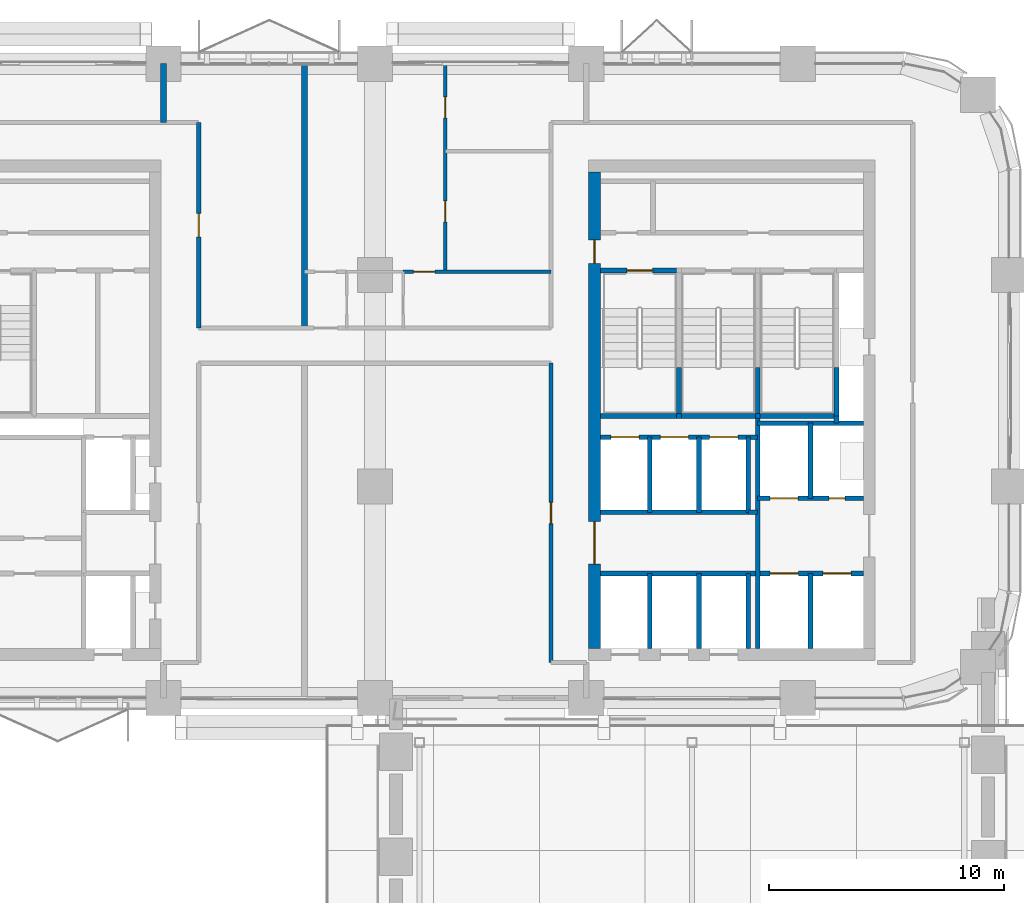
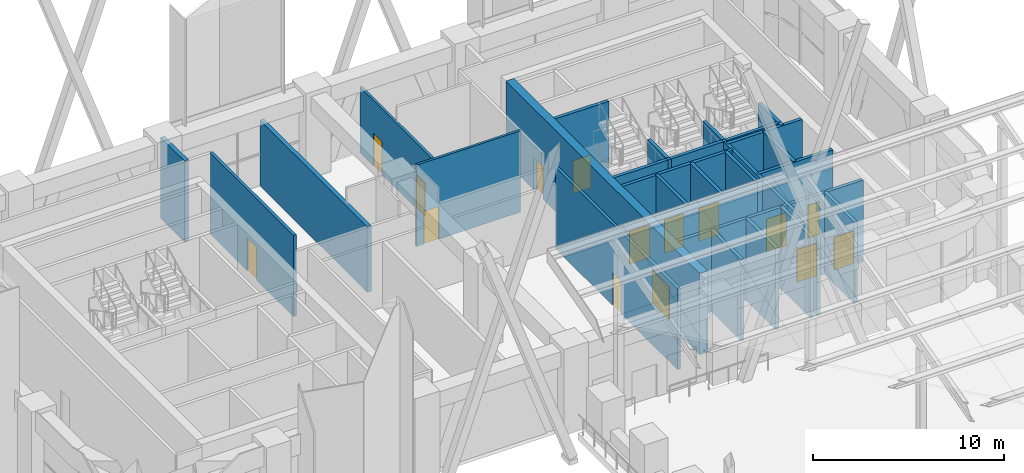
# One storey, part 15 of 22: 32 walls, 15 doors, 15 openings.
"""IFC4 building model written with IfcOpenShell, lengths in metres."""

from ifc_helpers import new_model, si_unit, direction, frame, frame_2d, origin, place, context, subcontext, project, spatial, rectangle, extrude, material, layer, layer_set, type_object, element, fill, save


model = new_model("IFC4")

# Units and contexts
model_context = context("Model", 3, precision=1e-05, world=origin(), true_north=direction((0.0, 1.0)))
body_context = subcontext(model_context, "Body", "Model", "MODEL_VIEW")
ifc_project = project(units=[si_unit("LENGTHUNIT", "METRE"), si_unit("AREAUNIT", "SQUARE_METRE"), si_unit("VOLUMEUNIT", "CUBIC_METRE"), si_unit("PLANEANGLEUNIT", "RADIAN"), si_unit("MASSUNIT", "GRAM", prefix="KILO")], contexts=[model_context])

# Site, building, storey
site_placement = place(None, origin())
site = spatial("IfcSite", under=ifc_project, at=site_placement, CompositionType="ELEMENT")
building_placement = place(site_placement, origin())
building = spatial("IfcBuilding", under=site, at=building_placement, Name="Tessera Arch", CompositionType="ELEMENT")
storey_placement = place(building_placement, frame((0.0, 0.0, 129.39990234375)))
storey = spatial("IfcBuildingStorey", under=building, at=storey_placement, Name="L30", CompositionType="ELEMENT", Elevation=129.39990234375)

# Wall
ifc_material_1 = material(Name="Gypsum board on steel stud", Category="steel")
ifc_layer_1 = layer(ifc_material_1, 0.125)
ifc_layer_set_1 = layer_set([ifc_layer_1], Name="Core partition 125 EI 60")
wall_type_1 = type_object("IfcWallType", Name="Core partition 125 EI 60", PredefinedType="PARTITIONING", material=ifc_layer_set_1)
wall_1_placement = place(storey_placement, frame((42.89990234375, 34.89990234375, 0.0), z_axis=(0.0, 0.0, 1.0), x_axis=(1.0, 0.0, 0.0)))
element("IfcWall", 1, at=wall_1_placement, inside=storey, type_object=wall_type_1, Name="L30 C1 partition wall 22", PredefinedType="PARTITIONING", context=body_context, shape_type="SweptSolid", body=[
    extrude(rectangle(XDim=0.400146484375, YDim=0.199951171875, at=frame_2d((0.2001953125, 0.0))), origin(), (0.0, 0.0, 1.0), 5.2001953125),
])

# Wall, openings, doors
ifc_material_2 = material(Name="Concrete C60/75", Category="concrete")
ifc_layer_2 = layer(ifc_material_2, 0.5)
ifc_layer_set_2 = layer_set([ifc_layer_2], Name="Core shell wall 500 C60-75")
wall_type_2 = type_object("IfcWallType", Name="Core shell wall 500 C60-75", PredefinedType="SHEAR", material=ifc_layer_set_2)
wall_2_placement = place(storey_placement, frame((36.35009765625, 29.10009765625, 0.0), z_axis=(0.0, 0.0, 1.0), x_axis=(0.0, 1.0, 0.0)))
wall_2 = element("IfcWall", 2, at=wall_2_placement, inside=storey, type_object=wall_type_2, Name="L30 C1 core wall W", PredefinedType="SHEAR", context=body_context, shape_type="SweptSolid", body=[
    extrude(rectangle(XDim=20.2998046875, YDim=0.5, at=frame_2d((10.14990234375, 0.0))), origin(), (0.0, 0.0, 1.0), 5.2001953125),
])
opening_1_placement = place(wall_2_placement, frame((3.60009765625, 0.0, 0.0)))
opening_1 = element("IfcOpeningElement", 3, at=opening_1_placement, cuts=wall_2, Name="Opening L30-C10", PredefinedType="OPENING", context=body_context, shape_type="SweptSolid", body=[
    extrude(rectangle(XDim=1.800048828125, YDim=2.10009765625, at=frame_2d((0.89990234375, 1.050048828125))), frame((0.0, 0.260009765625, 0.0), z_axis=(0.0, -1.0, 0.0), x_axis=(1.0, 0.0, 0.0)), (0.0, 0.0, 1.0), 0.52001953125),
])
opening_2_placement = place(wall_2_placement, frame((16.39990234375, 0.0, 0.0)))
opening_2 = element("IfcOpeningElement", 4, at=opening_2_placement, cuts=wall_2, Name="Opening L30-C17", PredefinedType="OPENING", context=body_context, shape_type="SweptSolid", body=[
    extrude(rectangle(XDim=1.0, YDim=2.10009765625, at=frame_2d((0.5, 1.050048828125))), frame((0.0, 0.260009765625, 0.0), z_axis=(0.0, -1.0, 0.0), x_axis=(1.0, 0.0, 0.0)), (0.0, 0.0, 1.0), 0.52001953125),
])
ifc_material_3 = material(Name="Steel door leaf", Category="steel")
door_type_1 = type_object("IfcDoorType", Name="Corridor door FD60 1000 x 2100", OperationType="SINGLE_SWING_LEFT", PredefinedType="DOOR", material=ifc_material_3)
door_1_placement = place(opening_2_placement, origin())
door_1 = element("IfcDoor", 5, at=door_1_placement, inside=storey, type_object=door_type_1, Name="L30 C1 door 17 C17 type D12", OperationType="SINGLE_SWING_RIGHT", OverallHeight=2.10009765625, OverallWidth=1.0, PredefinedType="DOOR", context=body_context, shape_type="SweptSolid", body=[
    extrude(rectangle(XDim=1.0, YDim=2.10009765625, at=frame_2d((0.5, 1.050048828125))), frame((0.0, 0.02490234375, 0.0), z_axis=(0.0, -1.0, 0.0), x_axis=(1.0, 0.0, 0.0)), (0.0, 0.0, 1.0), 0.050048828125),
])
fill(opening_2, door_1)
ifc_material_4 = material(Name="Glazed steel door leaf", Category="steel")
door_type_2 = type_object("IfcDoorType", Name="Lobby double door FD30S 1800 x 2100", OperationType="DOUBLE_DOOR_SINGLE_SWING", PredefinedType="DOOR", material=ifc_material_4)
door_2_placement = place(opening_1_placement, origin())
door_2 = element("IfcDoor", 6, at=door_2_placement, inside=storey, type_object=door_type_2, Name="L30 C1 door 10 C10 type D06", OperationType="DOUBLE_DOOR_SINGLE_SWING", OverallHeight=2.10009765625, OverallWidth=1.800048828125, PredefinedType="DOOR", context=body_context, shape_type="SweptSolid", body=[
    extrude(rectangle(XDim=1.800048828125, YDim=2.10009765625, at=frame_2d((0.89990234375, 1.050048828125))), frame((0.0, 0.02490234375, 0.0), z_axis=(0.0, -1.0, 0.0), x_axis=(1.0, 0.0, 0.0)), (0.0, 0.0, 1.0), 0.050048828125),
])
fill(opening_1, door_2)

# Wall, opening, door
ifc_material_5 = material(Name="Gypsum board on deep steel stud with mineral wool", Category="steel")
ifc_layer_3 = layer(ifc_material_5, 0.175048828125)
ifc_layer_set_3 = layer_set([ifc_layer_3], Name="Corridor wall 175 EI 60")
wall_type_3 = type_object("IfcWallType", Name="Corridor wall 175 EI 60", PredefinedType="PARTITIONING", material=ifc_layer_set_3)
wall_3_placement = place(storey_placement, frame((19.5, 42.75, 0.0), z_axis=(0.0, 0.0, 1.0), x_axis=(0.0, 1.0, 0.0)))
wall_3 = element("IfcWall", 7, at=wall_3_placement, inside=storey, type_object=wall_type_3, Name="L30 partition 11", PredefinedType="PARTITIONING", context=body_context, shape_type="SweptSolid", body=[
    extrude(rectangle(XDim=8.75, YDim=0.175048828125, at=frame_2d((4.375, 0.0))), origin(), (0.0, 0.0, 1.0), 5.2001953125),
])
opening_3_placement = place(wall_3_placement, frame((3.875, 0.0, 0.0)))
opening_3 = element("IfcOpeningElement", 8, at=opening_3_placement, cuts=wall_3, Name="Opening L30-D012", PredefinedType="OPENING", context=body_context, shape_type="SweptSolid", body=[
    extrude(rectangle(XDim=1.0, YDim=2.10009765625, at=frame_2d((0.5, 1.050048828125))), frame((0.0, 0.097412109375, 0.0), z_axis=(0.0, -1.0, 0.0), x_axis=(1.0, 0.0, 0.0)), (0.0, 0.0, 1.0), 0.195068359375),
])
ifc_material_6 = material(Name="Fire-rated door leaf")
door_type_3 = type_object("IfcDoorType", Name="Entrance door FD30S 1000 x 2100", OperationType="SINGLE_SWING_LEFT", PredefinedType="DOOR", material=ifc_material_6)
door_3_placement = place(opening_3_placement, origin())
door_3 = element("IfcDoor", 9, at=door_3_placement, inside=storey, type_object=door_type_3, Name="L30 door D012 type D03", OperationType="SINGLE_SWING_LEFT", OverallHeight=2.10009765625, OverallWidth=1.0, PredefinedType="DOOR", context=body_context, shape_type="SweptSolid", body=[
    extrude(rectangle(XDim=1.0, YDim=2.10009765625, at=frame_2d((0.5, 1.050048828125))), frame((0.0, 0.02490234375, 0.0), z_axis=(0.0, -1.0, 0.0), x_axis=(1.0, 0.0, 0.0)), (0.0, 0.0, 1.0), 0.050048828125),
])
fill(opening_3, door_3)

wall_4_placement = place(storey_placement, frame((34.5, 28.5, 0.0), z_axis=(0.0, 0.0, 1.0), x_axis=(0.0, 1.0, 0.0)))
wall_4 = element("IfcWall", 10, at=wall_4_placement, inside=storey, type_object=wall_type_3, Name="L30 partition 12", PredefinedType="PARTITIONING", context=body_context, shape_type="SweptSolid", body=[
    extrude(rectangle(XDim=12.75, YDim=0.175048828125, at=frame_2d((6.375, 0.0))), origin(), (0.0, 0.0, 1.0), 5.2001953125),
])
opening_4_placement = place(wall_4_placement, frame((5.925048828125, 0.0, 0.0)))
opening_4 = element("IfcOpeningElement", 11, at=opening_4_placement, cuts=wall_4, Name="Opening L30-D002", PredefinedType="OPENING", context=body_context, shape_type="SweptSolid", body=[
    extrude(rectangle(XDim=0.89990234375, YDim=2.10009765625, at=frame_2d((0.449951171875, 1.050048828125))), frame((0.0, 0.097412109375, 0.0), z_axis=(0.0, -1.0, 0.0), x_axis=(1.0, 0.0, 0.0)), (0.0, 0.0, 1.0), 0.195068359375),
])
ifc_material_7 = material(Name="Timber door leaf", Category="wood")
door_type_4 = type_object("IfcDoorType", Name="Room door 900 x 2100", OperationType="SINGLE_SWING_LEFT", PredefinedType="DOOR", material=ifc_material_7)
door_4_placement = place(opening_4_placement, origin())
door_4 = element("IfcDoor", 12, at=door_4_placement, inside=storey, type_object=door_type_4, Name="L30 door D002 type D01", OperationType="SINGLE_SWING_RIGHT", OverallHeight=2.10009765625, OverallWidth=0.89990234375, PredefinedType="DOOR", context=body_context, shape_type="SweptSolid", body=[
    extrude(rectangle(XDim=0.89990234375, YDim=2.10009765625, at=frame_2d((0.449951171875, 1.050048828125))), frame((0.0, 0.02490234375, 0.0), z_axis=(0.0, -1.0, 0.0), x_axis=(1.0, 0.0, 0.0)), (0.0, 0.0, 1.0), 0.050048828125),
])
fill(opening_4, door_4)

ifc_material_8 = material(Name="Gypsum board on steel stud", Category="steel")
ifc_layer_4 = layer(ifc_material_8, 0.14990234375)
ifc_layer_set_4 = layer_set([ifc_layer_4], Name="Partition 150")
wall_type_4 = type_object("IfcWallType", Name="Partition 150", PredefinedType="PARTITIONING", material=ifc_layer_set_4)
wall_5_placement = place(storey_placement, frame((28.199951171875, 45.14990234375, 0.0), z_axis=(0.0, 0.0, 1.0), x_axis=(1.0, 0.0, 0.0)))
wall_5 = element("IfcWall", 13, at=wall_5_placement, inside=storey, type_object=wall_type_4, Name="L30 partition 16", PredefinedType="PARTITIONING", context=body_context, shape_type="SweptSolid", body=[
    extrude(rectangle(XDim=6.300048828125, YDim=0.14990234375, at=frame_2d((3.14990234375, 0.0))), origin(), (0.0, 0.0, 1.0), 5.2001953125),
])
opening_5_placement = place(wall_5_placement, frame((0.449951171875, 0.0, 0.0)))
opening_5 = element("IfcOpeningElement", 14, at=opening_5_placement, cuts=wall_5, Name="Opening L30-D009", PredefinedType="OPENING", context=body_context, shape_type="SweptSolid", body=[
    extrude(rectangle(XDim=0.89990234375, YDim=2.10009765625, at=frame_2d((0.449951171875, 1.050048828125))), frame((0.0, 0.0849609375, 0.0), z_axis=(0.0, -1.0, 0.0), x_axis=(1.0, 0.0, 0.0)), (0.0, 0.0, 1.0), 0.169921875),
])
door_5_placement = place(opening_5_placement, origin())
door_5 = element("IfcDoor", 15, at=door_5_placement, inside=storey, type_object=door_type_4, Name="L30 door D009 type D01", OperationType="SINGLE_SWING_RIGHT", OverallHeight=2.10009765625, OverallWidth=0.89990234375, PredefinedType="DOOR", context=body_context, shape_type="SweptSolid", body=[
    extrude(rectangle(XDim=0.89990234375, YDim=2.10009765625, at=frame_2d((0.449951171875, 1.050048828125))), frame((0.0, 0.02490234375, 0.0), z_axis=(0.0, -1.0, 0.0), x_axis=(1.0, 0.0, 0.0)), (0.0, 0.0, 1.0), 0.050048828125),
])
fill(opening_5, door_5)

# Wall, openings, doors
wall_6_placement = place(storey_placement, frame((30.0, 45.14990234375, 0.0), z_axis=(0.0, 0.0, 1.0), x_axis=(0.0, 1.0, 0.0)))
wall_6 = element("IfcWall", 16, at=wall_6_placement, inside=storey, type_object=wall_type_4, Name="L30 partition 18", PredefinedType="PARTITIONING", context=body_context, shape_type="SweptSolid", body=[
    extrude(rectangle(XDim=8.85009765625, YDim=0.14990234375, at=frame_2d((4.425048828125, 0.0))), origin(), (0.0, 0.0, 1.0), 4.2001953125),
])
opening_6_placement = place(wall_6_placement, frame((2.1162109375, 0.0, 0.0)))
opening_6 = element("IfcOpeningElement", 17, at=opening_6_placement, cuts=wall_6, Name="Opening L30-D010", PredefinedType="OPENING", context=body_context, shape_type="SweptSolid", body=[
    extrude(rectangle(XDim=0.89990234375, YDim=2.10009765625, at=frame_2d((0.449951171875, 1.050048828125))), frame((0.0, 0.0849609375, 0.0), z_axis=(0.0, -1.0, 0.0), x_axis=(1.0, 0.0, 0.0)), (0.0, 0.0, 1.0), 0.169921875),
])
opening_7_placement = place(wall_6_placement, frame((6.541015625, 0.0, 0.0)))
opening_7 = element("IfcOpeningElement", 18, at=opening_7_placement, cuts=wall_6, Name="Opening L30-D011", PredefinedType="OPENING", context=body_context, shape_type="SweptSolid", body=[
    extrude(rectangle(XDim=0.89990234375, YDim=2.10009765625, at=frame_2d((0.449951171875, 1.050048828125))), frame((0.0, 0.0849609375, 0.0), z_axis=(0.0, -1.0, 0.0), x_axis=(1.0, 0.0, 0.0)), (0.0, 0.0, 1.0), 0.169921875),
])
door_6_placement = place(opening_6_placement, origin())
door_6 = element("IfcDoor", 19, at=door_6_placement, inside=storey, type_object=door_type_4, Name="L30 door D010 type D01", OperationType="SINGLE_SWING_RIGHT", OverallHeight=2.10009765625, OverallWidth=0.89990234375, PredefinedType="DOOR", context=body_context, shape_type="SweptSolid", body=[
    extrude(rectangle(XDim=0.89990234375, YDim=2.10009765625, at=frame_2d((0.449951171875, 1.050048828125))), frame((0.0, 0.02490234375, 0.0), z_axis=(0.0, -1.0, 0.0), x_axis=(1.0, 0.0, 0.0)), (0.0, 0.0, 1.0), 0.050048828125),
])
fill(opening_6, door_6)
door_7_placement = place(opening_7_placement, origin())
door_7 = element("IfcDoor", 20, at=door_7_placement, inside=storey, type_object=door_type_4, Name="L30 door D011 type D01", OperationType="SINGLE_SWING_RIGHT", OverallHeight=2.10009765625, OverallWidth=0.89990234375, PredefinedType="DOOR", context=body_context, shape_type="SweptSolid", body=[
    extrude(rectangle(XDim=0.89990234375, YDim=2.10009765625, at=frame_2d((0.449951171875, 1.050048828125))), frame((0.0, 0.02490234375, 0.0), z_axis=(0.0, -1.0, 0.0), x_axis=(1.0, 0.0, 0.0)), (0.0, 0.0, 1.0), 0.050048828125),
])
fill(opening_7, door_7)

# Walls
ifc_material_9 = material(Name="Double gypsum board on twin steel stud with acoustic mineral wool", Category="steel")
ifc_layer_5 = layer(ifc_material_9, 0.25)
ifc_layer_set_5 = layer_set([ifc_layer_5], Name="Party wall 250 EI 60")
wall_type_5 = type_object("IfcWallType", Name="Party wall 250 EI 60", PredefinedType="PARTITIONING", material=ifc_layer_set_5)
wall_7_placement = place(storey_placement, frame((18.0, 51.5, 0.0), z_axis=(0.0, 0.0, 1.0), x_axis=(0.0, 1.0, 0.0)))
element("IfcWall", 21, at=wall_7_placement, inside=storey, type_object=wall_type_5, Name="L30 partition 20", PredefinedType="PARTITIONING", context=body_context, shape_type="SweptSolid", body=[
    extrude(rectangle(XDim=2.5, YDim=0.25, at=frame_2d((1.25, 0.0))), origin(), (0.0, 0.0, 1.0), 5.2001953125),
])
wall_8_placement = place(storey_placement, frame((24.0, 42.75, 0.0), z_axis=(0.0, 0.0, 1.0), x_axis=(0.0, 1.0, 0.0)))
element("IfcWall", 22, at=wall_8_placement, inside=storey, type_object=wall_type_5, Name="L30 partition 22", PredefinedType="PARTITIONING", context=body_context, shape_type="SweptSolid", body=[
    extrude(rectangle(XDim=11.25, YDim=0.25, at=frame_2d((5.625, 0.0))), origin(), (0.0, 0.0, 1.0), 4.2001953125),
])
ifc_material_10 = material(Name="Concrete C40/50", Category="concrete")
ifc_layer_6 = layer(ifc_material_10, 0.199951171875)
ifc_layer_set_6 = layer_set([ifc_layer_6], Name="Shaft wall 200 EI 120")
wall_type_6 = type_object("IfcWallType", Name="Shaft wall 200 EI 120", PredefinedType="SOLIDWALL", material=ifc_layer_set_6)
wall_9_placement = place(storey_placement, frame((38.699951171875, 29.10009765625, 0.0), z_axis=(0.0, 0.0, 1.0), x_axis=(0.0, 1.0, 0.0)))
element("IfcWall", 23, at=wall_9_placement, inside=storey, type_object=wall_type_6, Name="L30 C1 shaft wall 1", PredefinedType="SOLIDWALL", context=body_context, shape_type="SweptSolid", body=[
    extrude(rectangle(XDim=3.199951171875, YDim=0.199951171875, at=frame_2d((1.60009765625, 0.0))), origin(), (0.0, 0.0, 1.0), 5.2001953125),
])
wall_10_placement = place(storey_placement, frame((38.699951171875, 34.89990234375, 0.0), z_axis=(0.0, 0.0, 1.0), x_axis=(0.0, 1.0, 0.0)))
element("IfcWall", 24, at=wall_10_placement, inside=storey, type_object=wall_type_6, Name="L30 C1 shaft wall 2", PredefinedType="SOLIDWALL", context=body_context, shape_type="SweptSolid", body=[
    extrude(rectangle(XDim=3.2001953125, YDim=0.199951171875, at=frame_2d((1.60009765625, 0.0))), origin(), (0.0, 0.0, 1.0), 5.2001953125),
])
wall_11_placement = place(storey_placement, frame((40.800048828125, 29.10009765625, 0.0), z_axis=(0.0, 0.0, 1.0), x_axis=(0.0, 1.0, 0.0)))
element("IfcWall", 25, at=wall_11_placement, inside=storey, type_object=wall_type_6, Name="L30 C1 shaft wall 7", PredefinedType="SOLIDWALL", context=body_context, shape_type="SweptSolid", body=[
    extrude(rectangle(XDim=3.199951171875, YDim=0.199951171875, at=frame_2d((1.60009765625, 0.0))), origin(), (0.0, 0.0, 1.0), 5.2001953125),
])
wall_12_placement = place(storey_placement, frame((40.800048828125, 34.89990234375, 0.0), z_axis=(0.0, 0.0, 1.0), x_axis=(0.0, 1.0, 0.0)))
element("IfcWall", 26, at=wall_12_placement, inside=storey, type_object=wall_type_6, Name="L30 C1 shaft wall 8", PredefinedType="SOLIDWALL", context=body_context, shape_type="SweptSolid", body=[
    extrude(rectangle(XDim=3.2001953125, YDim=0.199951171875, at=frame_2d((1.60009765625, 0.0))), origin(), (0.0, 0.0, 1.0), 5.2001953125),
])
wall_13_placement = place(storey_placement, frame((42.89990234375, 29.10009765625, 0.0), z_axis=(0.0, 0.0, 1.0), x_axis=(0.0, 1.0, 0.0)))
element("IfcWall", 27, at=wall_13_placement, inside=storey, type_object=wall_type_6, Name="L30 C1 shaft wall 9", PredefinedType="SOLIDWALL", context=body_context, shape_type="SweptSolid", body=[
    extrude(rectangle(XDim=3.199951171875, YDim=0.199951171875, at=frame_2d((1.60009765625, 0.0))), origin(), (0.0, 0.0, 1.0), 5.2001953125),
])
wall_14_placement = place(storey_placement, frame((42.89990234375, 34.89990234375, 0.0), z_axis=(0.0, 0.0, 1.0), x_axis=(0.0, 1.0, 0.0)))
element("IfcWall", 28, at=wall_14_placement, inside=storey, type_object=wall_type_6, Name="L30 C1 shaft wall 10", PredefinedType="SOLIDWALL", context=body_context, shape_type="SweptSolid", body=[
    extrude(rectangle(XDim=3.2001953125, YDim=0.199951171875, at=frame_2d((1.60009765625, 0.0))), origin(), (0.0, 0.0, 1.0), 5.2001953125),
])
wall_15_placement = place(storey_placement, frame((43.300048828125, 29.10009765625, 0.0), z_axis=(0.0, 0.0, 1.0), x_axis=(0.0, 1.0, 0.0)))
element("IfcWall", 29, at=wall_15_placement, inside=storey, type_object=wall_type_6, Name="L30 C1 shaft wall 11", PredefinedType="SOLIDWALL", context=body_context, shape_type="SweptSolid", body=[
    extrude(rectangle(XDim=9.89990234375, YDim=0.199951171875, at=frame_2d((4.949951171875, 0.0))), origin(), (0.0, 0.0, 1.0), 5.2001953125),
])
for number, where, z_axis, x_axis, name in (
    (30, (45.550048828125, 29.10009765625, 0.0), (0.0, 0.0, 1.0), (0.0, 1.0, 0.0), "L30 C1 shaft wall 15"),
    (31, (45.550048828125, 35.5, 0.0), (0.0, 0.0, 1.0), (0.0, 1.0, 0.0), "L30 C1 shaft wall 16"),
):
    element("IfcWall", number, at=place(storey_placement, frame(where, z_axis=z_axis, x_axis=x_axis)), inside=storey, type_object=wall_type_6, Name=name, PredefinedType="SOLIDWALL", context=body_context, shape_type="SweptSolid", body=[
        extrude(rectangle(XDim=3.199951171875, YDim=0.199951171875, at=frame_2d((1.60009765625, 0.0))), origin(), (0.0, 0.0, 1.0), 5.2001953125),
    ])
wall_16_placement = place(storey_placement, frame((46.64990234375, 38.699951171875, 0.0), z_axis=(0.0, 0.0, 1.0), x_axis=(0.0, 1.0, 0.0)))
element("IfcWall", 32, at=wall_16_placement, inside=storey, type_object=wall_type_6, Name="L30 C1 shaft wall 17", PredefinedType="SOLIDWALL", context=body_context, shape_type="SweptSolid", body=[
    extrude(rectangle(XDim=0.300048828125, YDim=0.199951171875, at=frame_2d((0.14990234375, 0.0))), origin(), (0.0, 0.0, 1.0), 5.2001953125),
])

# Wall, openings, doors
wall_17_placement = place(storey_placement, frame((36.60009765625, 32.300048828125, 0.0), z_axis=(0.0, 0.0, 1.0), x_axis=(1.0, 0.0, 0.0)))
wall_17 = element("IfcWall", 33, at=wall_17_placement, inside=storey, type_object=wall_type_6, Name="L30 C1 shaft wall 21", PredefinedType="SOLIDWALL", context=body_context, shape_type="SweptSolid", body=[
    extrude(rectangle(XDim=11.199951171875, YDim=0.199951171875, at=frame_2d((5.60009765625, 0.0))), origin(), (0.0, 0.0, 1.0), 5.2001953125),
])
opening_8_placement = place(wall_17_placement, frame((7.22509765625, 0.0, 0.0)))
opening_8 = element("IfcOpeningElement", 34, at=opening_8_placement, cuts=wall_17, Name="Opening L30-C07", PredefinedType="OPENING", context=body_context, shape_type="SweptSolid", body=[
    extrude(rectangle(XDim=1.199951171875, YDim=2.10009765625, at=frame_2d((0.60009765625, 1.050048828125))), frame((0.0, 0.10986328125, 0.0), z_axis=(0.0, -1.0, 0.0), x_axis=(1.0, 0.0, 0.0)), (0.0, 0.0, 1.0), 0.219970703125),
])
opening_9_placement = place(wall_17_placement, frame((9.47509765625, 0.0, 0.0)))
opening_9 = element("IfcOpeningElement", 35, at=opening_9_placement, cuts=wall_17, Name="Opening L30-C08", PredefinedType="OPENING", context=body_context, shape_type="SweptSolid", body=[
    extrude(rectangle(XDim=1.199951171875, YDim=2.10009765625, at=frame_2d((0.60009765625, 1.050048828125))), frame((0.0, 0.10986328125, 0.0), z_axis=(0.0, -1.0, 0.0), x_axis=(1.0, 0.0, 0.0)), (0.0, 0.0, 1.0), 0.219970703125),
])
ifc_material_11 = material(Name="Stainless steel AISI 304", Category="steel")
door_type_5 = type_object("IfcDoorType", Name="Sliding landing door 1200 x 2100", OperationType="SLIDING_TO_LEFT", PredefinedType="DOOR", material=ifc_material_11)
door_8_placement = place(opening_8_placement, origin())
door_8 = element("IfcDoor", 36, at=door_8_placement, inside=storey, type_object=door_type_5, Name="L30 FF1 lift landing door C07 type LD", OperationType="SLIDING_TO_LEFT", OverallHeight=2.10009765625, OverallWidth=1.199951171875, PredefinedType="DOOR", context=body_context, shape_type="SweptSolid", body=[
    extrude(rectangle(XDim=1.199951171875, YDim=2.10009765625, at=frame_2d((0.60009765625, 1.050048828125))), frame((0.0, 0.02490234375, 0.0), z_axis=(0.0, -1.0, 0.0), x_axis=(1.0, 0.0, 0.0)), (0.0, 0.0, 1.0), 0.050048828125),
])
fill(opening_8, door_8)
door_9_placement = place(opening_9_placement, origin())
door_9 = element("IfcDoor", 37, at=door_9_placement, inside=storey, type_object=door_type_5, Name="L30 FF2 lift landing door C08 type LD", OperationType="SLIDING_TO_LEFT", OverallHeight=2.10009765625, OverallWidth=1.199951171875, PredefinedType="DOOR", context=body_context, shape_type="SweptSolid", body=[
    extrude(rectangle(XDim=1.199951171875, YDim=2.10009765625, at=frame_2d((0.60009765625, 1.050048828125))), frame((0.0, 0.02490234375, 0.0), z_axis=(0.0, -1.0, 0.0), x_axis=(1.0, 0.0, 0.0)), (0.0, 0.0, 1.0), 0.050048828125),
])
fill(opening_9, door_9)

# Wall
wall_18_placement = place(storey_placement, frame((36.60009765625, 34.89990234375, 0.0), z_axis=(0.0, 0.0, 1.0), x_axis=(1.0, 0.0, 0.0)))
element("IfcWall", 38, at=wall_18_placement, inside=storey, type_object=wall_type_6, Name="L30 C1 shaft wall 23", PredefinedType="SOLIDWALL", context=body_context, shape_type="SweptSolid", body=[
    extrude(rectangle(XDim=6.2998046875, YDim=0.199951171875, at=frame_2d((3.14990234375, 0.0))), origin(), (0.0, 0.0, 1.0), 5.2001953125),
])

# Wall, openings, doors
wall_19_placement = place(storey_placement, frame((43.300048828125, 35.5, 0.0), z_axis=(0.0, 0.0, 1.0), x_axis=(1.0, 0.0, 0.0)))
wall_19 = element("IfcWall", 39, at=wall_19_placement, inside=storey, type_object=wall_type_6, Name="L30 C1 shaft wall 24", PredefinedType="SOLIDWALL", context=body_context, shape_type="SweptSolid", body=[
    extrude(rectangle(XDim=4.5, YDim=0.199951171875, at=frame_2d((2.25, 0.0))), origin(), (0.0, 0.0, 1.0), 5.2001953125),
])
opening_10_placement = place(wall_19_placement, frame((0.52490234375, 0.0, 0.0)))
opening_10 = element("IfcOpeningElement", 40, at=opening_10_placement, cuts=wall_19, Name="Opening L30-C09", PredefinedType="OPENING", context=body_context, shape_type="SweptSolid", body=[
    extrude(rectangle(XDim=1.199951171875, YDim=2.10009765625, at=frame_2d((0.60009765625, 1.050048828125))), frame((0.0, 0.10986328125, 0.0), z_axis=(0.0, -1.0, 0.0), x_axis=(1.0, 0.0, 0.0)), (0.0, 0.0, 1.0), 0.219970703125),
])
opening_11_placement = place(wall_19_placement, frame((3.02490234375, 0.0, 0.0)))
opening_11 = element("IfcOpeningElement", 41, at=opening_11_placement, cuts=wall_19, Name="Opening L30-C16", PredefinedType="OPENING", context=body_context, shape_type="SweptSolid", body=[
    extrude(rectangle(XDim=0.699951171875, YDim=2.10009765625, at=frame_2d((0.35009765625, 1.050048828125))), frame((0.0, 0.10986328125, 0.0), z_axis=(0.0, -1.0, 0.0), x_axis=(1.0, 0.0, 0.0)), (0.0, 0.0, 1.0), 0.219970703125),
])
ifc_material_12 = material(Name="Steel door leaf", Category="steel")
door_type_6 = type_object("IfcDoorType", Name="Service shaft door FD60 700 x 2100", OperationType="SINGLE_SWING_LEFT", PredefinedType="DOOR", material=ifc_material_12)
door_10_placement = place(opening_11_placement, origin())
door_10 = element("IfcDoor", 42, at=door_10_placement, inside=storey, type_object=door_type_6, Name="L30 C1 door 16 C16 type D07", OperationType="SINGLE_SWING_RIGHT", OverallHeight=2.10009765625, OverallWidth=0.699951171875, PredefinedType="DOOR", context=body_context, shape_type="SweptSolid", body=[
    extrude(rectangle(XDim=0.699951171875, YDim=2.10009765625, at=frame_2d((0.35009765625, 1.050048828125))), frame((0.0, 0.02490234375, 0.0), z_axis=(0.0, -1.0, 0.0), x_axis=(1.0, 0.0, 0.0)), (0.0, 0.0, 1.0), 0.050048828125),
])
fill(opening_11, door_10)
door_11_placement = place(opening_10_placement, origin())
door_11 = element("IfcDoor", 43, at=door_11_placement, inside=storey, type_object=door_type_5, Name="L30 SV2 lift landing door C09 type LD", OperationType="SLIDING_TO_LEFT", OverallHeight=2.10009765625, OverallWidth=1.199951171875, PredefinedType="DOOR", context=body_context, shape_type="SweptSolid", body=[
    extrude(rectangle(XDim=1.199951171875, YDim=2.10009765625, at=frame_2d((0.60009765625, 1.050048828125))), frame((0.0, 0.02490234375, 0.0), z_axis=(0.0, -1.0, 0.0), x_axis=(1.0, 0.0, 0.0)), (0.0, 0.0, 1.0), 0.050048828125),
])
fill(opening_10, door_11)

wall_20_placement = place(storey_placement, frame((36.60009765625, 38.10009765625, 0.0), z_axis=(0.0, 0.0, 1.0), x_axis=(1.0, 0.0, 0.0)))
wall_20 = element("IfcWall", 44, at=wall_20_placement, inside=storey, type_object=wall_type_6, Name="L30 C1 shaft wall 25", PredefinedType="SOLIDWALL", context=body_context, shape_type="SweptSolid", body=[
    extrude(rectangle(XDim=6.699951171875, YDim=0.199951171875, at=frame_2d((3.35009765625, 0.0))), origin(), (0.0, 0.0, 1.0), 5.2001953125),
])
opening_12_placement = place(wall_20_placement, frame((0.449951171875, 0.0, 0.0)))
opening_12 = element("IfcOpeningElement", 45, at=opening_12_placement, cuts=wall_20, Name="Opening L30-C02", PredefinedType="OPENING", context=body_context, shape_type="SweptSolid", body=[
    extrude(rectangle(XDim=1.199951171875, YDim=2.10009765625, at=frame_2d((0.60009765625, 1.050048828125))), frame((0.0, 0.10986328125, 0.0), z_axis=(0.0, -1.0, 0.0), x_axis=(1.0, 0.0, 0.0)), (0.0, 0.0, 1.0), 0.219970703125),
])
opening_13_placement = place(wall_20_placement, frame((2.550048828125, 0.0, 0.0)))
opening_13 = element("IfcOpeningElement", 46, at=opening_13_placement, cuts=wall_20, Name="Opening L30-C04", PredefinedType="OPENING", context=body_context, shape_type="SweptSolid", body=[
    extrude(rectangle(XDim=1.199951171875, YDim=2.10009765625, at=frame_2d((0.60009765625, 1.050048828125))), frame((0.0, 0.10986328125, 0.0), z_axis=(0.0, -1.0, 0.0), x_axis=(1.0, 0.0, 0.0)), (0.0, 0.0, 1.0), 0.219970703125),
])
opening_14_placement = place(wall_20_placement, frame((4.64990234375, 0.0, 0.0)))
opening_14 = element("IfcOpeningElement", 47, at=opening_14_placement, cuts=wall_20, Name="Opening L30-C06", PredefinedType="OPENING", context=body_context, shape_type="SweptSolid", body=[
    extrude(rectangle(XDim=1.199951171875, YDim=2.10009765625, at=frame_2d((0.60009765625, 1.050048828125))), frame((0.0, 0.10986328125, 0.0), z_axis=(0.0, -1.0, 0.0), x_axis=(1.0, 0.0, 0.0)), (0.0, 0.0, 1.0), 0.219970703125),
])
door_12_placement = place(opening_12_placement, origin())
door_12 = element("IfcDoor", 48, at=door_12_placement, inside=storey, type_object=door_type_5, Name="L30 HR4 lift landing door C02 type LD", OperationType="SLIDING_TO_LEFT", OverallHeight=2.10009765625, OverallWidth=1.199951171875, PredefinedType="DOOR", context=body_context, shape_type="SweptSolid", body=[
    extrude(rectangle(XDim=1.199951171875, YDim=2.10009765625, at=frame_2d((0.60009765625, 1.050048828125))), frame((0.0, 0.02490234375, 0.0), z_axis=(0.0, -1.0, 0.0), x_axis=(1.0, 0.0, 0.0)), (0.0, 0.0, 1.0), 0.050048828125),
])
fill(opening_12, door_12)
door_13_placement = place(opening_13_placement, origin())
door_13 = element("IfcDoor", 49, at=door_13_placement, inside=storey, type_object=door_type_5, Name="L30 HR5 lift landing door C04 type LD", OperationType="SLIDING_TO_LEFT", OverallHeight=2.10009765625, OverallWidth=1.199951171875, PredefinedType="DOOR", context=body_context, shape_type="SweptSolid", body=[
    extrude(rectangle(XDim=1.199951171875, YDim=2.10009765625, at=frame_2d((0.60009765625, 1.050048828125))), frame((0.0, 0.02490234375, 0.0), z_axis=(0.0, -1.0, 0.0), x_axis=(1.0, 0.0, 0.0)), (0.0, 0.0, 1.0), 0.050048828125),
])
fill(opening_13, door_13)
door_14_placement = place(opening_14_placement, origin())
door_14 = element("IfcDoor", 50, at=door_14_placement, inside=storey, type_object=door_type_5, Name="L30 HR6 lift landing door C06 type LD", OperationType="SLIDING_TO_LEFT", OverallHeight=2.10009765625, OverallWidth=1.199951171875, PredefinedType="DOOR", context=body_context, shape_type="SweptSolid", body=[
    extrude(rectangle(XDim=1.199951171875, YDim=2.10009765625, at=frame_2d((0.60009765625, 1.050048828125))), frame((0.0, 0.02490234375, 0.0), z_axis=(0.0, -1.0, 0.0), x_axis=(1.0, 0.0, 0.0)), (0.0, 0.0, 1.0), 0.050048828125),
])
fill(opening_14, door_14)

# Walls
wall_21_placement = place(storey_placement, frame((43.300048828125, 38.699951171875, 0.0), z_axis=(0.0, 0.0, 1.0), x_axis=(1.0, 0.0, 0.0)))
element("IfcWall", 51, at=wall_21_placement, inside=storey, type_object=wall_type_6, Name="L30 C1 shaft wall 26", PredefinedType="SOLIDWALL", context=body_context, shape_type="SweptSolid", body=[
    extrude(rectangle(XDim=4.5, YDim=0.199951171875, at=frame_2d((2.25, 0.0))), origin(), (0.0, 0.0, 1.0), 5.2001953125),
])
ifc_material_13 = material(Name="Concrete C40/50", Category="concrete")
ifc_layer_7 = layer(ifc_material_13, 0.199951171875)
ifc_layer_set_7 = layer_set([ifc_layer_7], Name="Stair well wall 200 REI 180")
wall_type_7 = type_object("IfcWallType", Name="Stair well wall 200 REI 180", PredefinedType="SOLIDWALL", material=ifc_layer_set_7)
for number, where, z_axis, x_axis, name in (
    (52, (39.949951171875, 39.0, 0.0), (0.0, 0.0, 1.0), (0.0, 1.0, 0.0), "L30 C1 shaft wall 4"),
    (53, (43.300048828125, 39.0, 0.0), (0.0, 0.0, 1.0), (0.0, 1.0, 0.0), "L30 C1 shaft wall 12"),
    (54, (46.64990234375, 39.0, 0.0), (0.0, 0.0, 1.0), (0.0, 1.0, 0.0), "L30 C1 shaft wall 18"),
):
    element("IfcWall", number, at=place(storey_placement, frame(where, z_axis=z_axis, x_axis=x_axis)), inside=storey, type_object=wall_type_7, Name=name, PredefinedType="SOLIDWALL", context=body_context, shape_type="SweptSolid", body=[
        extrude(rectangle(XDim=2.06005859375, YDim=0.199951171875, at=frame_2d((1.030029296875, 0.0))), origin(), (0.0, 0.0, 1.0), 5.2001953125),
    ])
wall_22_placement = place(storey_placement, frame((36.60009765625, 39.0, 0.0), z_axis=(0.0, 0.0, 1.0), x_axis=(1.0, 0.0, 0.0)))
element("IfcWall", 55, at=wall_22_placement, inside=storey, type_object=wall_type_7, Name="L30 C1 shaft wall 27", PredefinedType="SOLIDWALL", context=body_context, shape_type="SweptSolid", body=[
    extrude(rectangle(XDim=3.25, YDim=0.199951171875, at=frame_2d((1.625, 0.0))), origin(), (0.0, 0.0, 1.0), 5.2001953125),
])
wall_23_placement = place(storey_placement, frame((39.85009765625, 39.0, 0.0), z_axis=(0.0, 0.0, 1.0), x_axis=(1.0, 0.0, 0.0)))
element("IfcWall", 56, at=wall_23_placement, inside=storey, type_object=wall_type_7, Name="L30 C1 shaft wall 28", PredefinedType="SOLIDWALL", context=body_context, shape_type="SweptSolid", body=[
    extrude(rectangle(XDim=0.199951171875, YDim=0.199951171875, at=frame_2d((0.10009765625, 0.0))), origin(), (0.0, 0.0, 1.0), 5.2001953125),
])
wall_24_placement = place(storey_placement, frame((40.050048828125, 39.0, 0.0), z_axis=(0.0, 0.0, 1.0), x_axis=(1.0, 0.0, 0.0)))
element("IfcWall", 57, at=wall_24_placement, inside=storey, type_object=wall_type_7, Name="L30 C1 shaft wall 29", PredefinedType="SOLIDWALL", context=body_context, shape_type="SweptSolid", body=[
    extrude(rectangle(XDim=3.14990234375, YDim=0.199951171875, at=frame_2d((1.574951171875, 0.0))), origin(), (0.0, 0.0, 1.0), 5.2001953125),
])
wall_25_placement = place(storey_placement, frame((43.199951171875, 39.0, 0.0), z_axis=(0.0, 0.0, 1.0), x_axis=(1.0, 0.0, 0.0)))
element("IfcWall", 58, at=wall_25_placement, inside=storey, type_object=wall_type_7, Name="L30 C1 shaft wall 30", PredefinedType="SOLIDWALL", context=body_context, shape_type="SweptSolid", body=[
    extrude(rectangle(XDim=0.199951171875, YDim=0.199951171875, at=frame_2d((0.10009765625, 0.0))), origin(), (0.0, 0.0, 1.0), 5.2001953125),
])
wall_26_placement = place(storey_placement, frame((43.39990234375, 39.0, 0.0), z_axis=(0.0, 0.0, 1.0), x_axis=(1.0, 0.0, 0.0)))
element("IfcWall", 59, at=wall_26_placement, inside=storey, type_object=wall_type_7, Name="L30 C1 shaft wall 31", PredefinedType="SOLIDWALL", context=body_context, shape_type="SweptSolid", body=[
    extrude(rectangle(XDim=3.25, YDim=0.199951171875, at=frame_2d((1.625, 0.0))), origin(), (0.0, 0.0, 1.0), 5.2001953125),
])

# Wall, opening, door
wall_27_placement = place(storey_placement, frame((36.60009765625, 45.199951171875, 0.0), z_axis=(0.0, 0.0, 1.0), x_axis=(1.0, 0.0, 0.0)))
wall_27 = element("IfcWall", 60, at=wall_27_placement, inside=storey, type_object=wall_type_7, Name="L30 C1 shaft wall 33", PredefinedType="SOLIDWALL", context=body_context, shape_type="SweptSolid", body=[
    extrude(rectangle(XDim=3.25, YDim=0.199951171875, at=frame_2d((1.625, 0.0))), origin(), (0.0, 0.0, 1.0), 5.2001953125),
])
opening_15_placement = place(wall_27_placement, frame((1.125, 0.0, 0.0)))
opening_15 = element("IfcOpeningElement", 61, at=opening_15_placement, cuts=wall_27, Name="Opening L30-C11", PredefinedType="OPENING", context=body_context, shape_type="SweptSolid", body=[
    extrude(rectangle(XDim=1.10009765625, YDim=2.10009765625, at=frame_2d((0.550048828125, 1.050048828125))), frame((0.0, 0.10986328125, 0.0), z_axis=(0.0, -1.0, 0.0), x_axis=(1.0, 0.0, 0.0)), (0.0, 0.0, 1.0), 0.219970703125),
])
ifc_material_14 = material(Name="Steel door leaf", Category="steel")
door_type_7 = type_object("IfcDoorType", Name="Stair door FD60 1100 x 2100", OperationType="SINGLE_SWING_LEFT", PredefinedType="DOOR", material=ifc_material_14)
door_15_placement = place(opening_15_placement, origin())
door_15 = element("IfcDoor", 62, at=door_15_placement, inside=storey, type_object=door_type_7, Name="L30 C1 door 11 C11 type D05", OperationType="SINGLE_SWING_RIGHT", OverallHeight=2.10009765625, OverallWidth=1.10009765625, PredefinedType="DOOR", context=body_context, shape_type="SweptSolid", body=[
    extrude(rectangle(XDim=1.10009765625, YDim=2.10009765625, at=frame_2d((0.550048828125, 1.050048828125))), frame((0.0, 0.02490234375, 0.0), z_axis=(0.0, -1.0, 0.0), x_axis=(1.0, 0.0, 0.0)), (0.0, 0.0, 1.0), 0.050048828125),
])
fill(opening_15, door_15)

save(model, "model.ifc")
